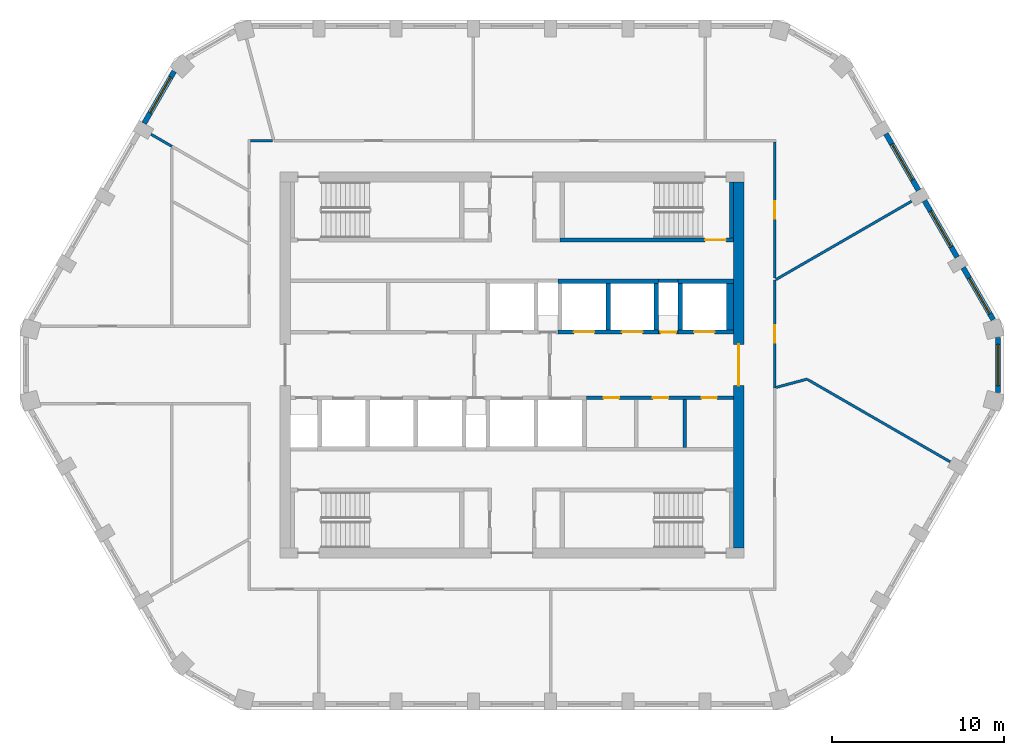
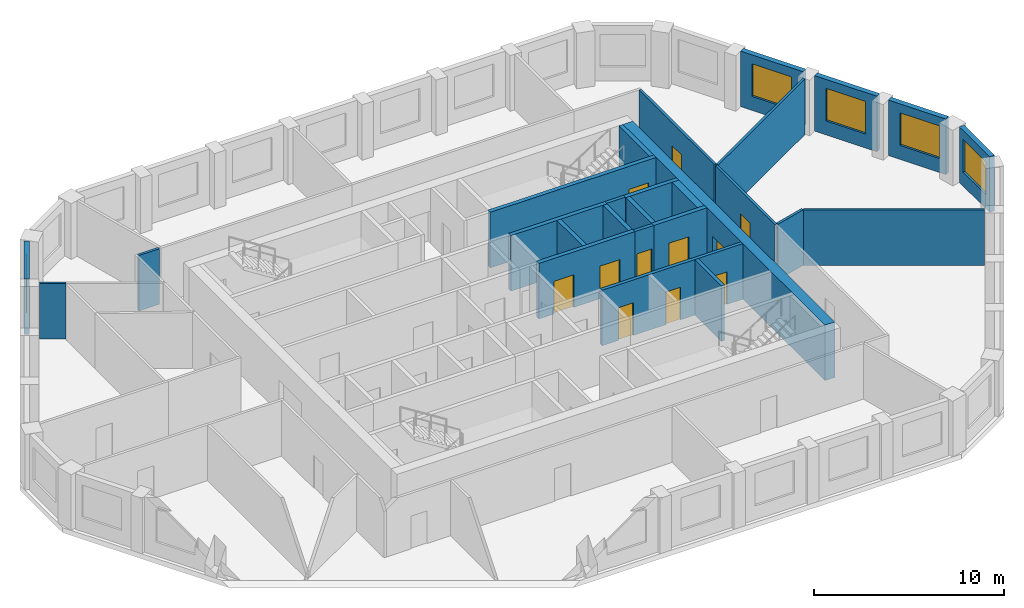
# One storey, part 5 of 7: 27 walls, 11 doors, 5 windows, 16 openings.
"""IFC4 building model written with IfcOpenShell, lengths in metres."""

import ifcopenshell
import ifcopenshell.guid

model = None  # the IFC model being written
_history = None  # IfcOwnerHistory: only IFC2X3 demands one
_inside = {}  # id of a spatial element -> (the spatial element, [elements in it])
_under = {}  # id of a project, library or spatial element -> (it, [spatial elements below it])
_declared = {}  # id of a project -> (the project, [libraries it declares])
_typed = {}  # id of a type object -> (the type object, [elements of that type])
_made_of = {}  # id of a material, layer set ... -> (it, [elements and type objects made of it])


def new_model(schema):
    """Start an empty IFC model of exactly this schema.

    Asked for "IFC4X3", IfcOpenShell would pick the latest addendum, in which some entities
    have other attributes; the version numbers below select the first issue.
    IFC2X3 requires an IfcOwnerHistory on every rooted entity: one is made here for all.
    """
    global model, _history
    if schema == "IFC4X3":
        model = ifcopenshell.file(schema_version=(4, 3, 0, 0))
    else:
        model = ifcopenshell.file(schema=schema)
    _inside.clear()
    _under.clear()
    _declared.clear()
    _typed.clear()
    _made_of.clear()
    _history = None
    if model.schema == "IFC2X3":
        org = make("IfcOrganization", Name="unknown")
        user = make(
            "IfcPersonAndOrganization",
            ThePerson=make("IfcPerson", FamilyName="unknown"),
            TheOrganization=org,
        )
        app = make(
            "IfcApplication",
            ApplicationDeveloper=org,
            Version="unknown",
            ApplicationFullName="unknown",
            ApplicationIdentifier="unknown",
        )
        _history = make(
            "IfcOwnerHistory",
            OwningUser=user,
            OwningApplication=app,
            ChangeAction="ADDED",
            CreationDate=0,
        )
    return model


def make(cls, **values):
    """One entity of the class cls with the attributes given. An attribute that is None is left unset."""
    return model.create_entity(
        cls, **{name: value for name, value in values.items() if value is not None}
    )


def rooted(cls, **values):
    """An entity with a GlobalId (a new one), such as an element, a storey or a relation."""
    return make(cls, GlobalId=ifcopenshell.guid.new(), OwnerHistory=_history, **values)


def si_unit(unit_type, name, prefix=None):
    """IfcSIUnit, for example si_unit("LENGTHUNIT", "METRE", prefix="MILLI")."""
    return make("IfcSIUnit", UnitType=unit_type, Prefix=prefix, Name=name)


def assignment(units):
    """IfcUnitAssignment: the units of a project."""
    return None if units is None else make("IfcUnitAssignment", Units=units)


def point(xyz):
    """IfcCartesianPoint."""
    return None if xyz is None else make("IfcCartesianPoint", Coordinates=xyz)


def direction(xyz):
    """IfcDirection."""
    return None if xyz is None else make("IfcDirection", DirectionRatios=xyz)


def frame(location, z_axis=None, x_axis=None):
    """IfcAxis2Placement3D, a coordinate frame: its origin and axes. An axis left out is left unset."""
    return make(
        "IfcAxis2Placement3D",
        Location=point(location),
        Axis=direction(z_axis),
        RefDirection=direction(x_axis),
    )


def frame_2d(location, x_axis=None):
    """IfcAxis2Placement2D, a coordinate frame in the plane: its origin and x axis."""
    return make(
        "IfcAxis2Placement2D", Location=point(location), RefDirection=direction(x_axis)
    )


def origin():
    """The frame at (0, 0, 0) with its axes left unset."""
    return frame((0.0, 0.0, 0.0))


def place(relative_to, where):
    """IfcLocalPlacement: puts the frame where relative to a parent placement (None: the world)."""
    return make(
        "IfcLocalPlacement", PlacementRelTo=relative_to, RelativePlacement=where
    )


def context(
    kind, dimensions, precision=None, world=None, true_north=None, identifier=None
):
    """IfcGeometricRepresentationContext, for example the 3D "Model" context."""
    return make(
        "IfcGeometricRepresentationContext",
        ContextIdentifier=identifier,
        ContextType=kind,
        CoordinateSpaceDimension=dimensions,
        Precision=precision,
        WorldCoordinateSystem=world,
        TrueNorth=true_north,
    )


def subcontext(parent, identifier, kind, view, scale=None):
    """IfcGeometricRepresentationSubContext, for example "Body" below "Model"."""
    return make(
        "IfcGeometricRepresentationSubContext",
        ContextIdentifier=identifier,
        ContextType=kind,
        ParentContext=parent,
        TargetScale=scale,
        TargetView=view,
    )


def project(units=None, contexts=None):
    """IfcProject with its units and contexts."""
    return rooted(
        "IfcProject",
        Name="project",
        RepresentationContexts=contexts,
        UnitsInContext=assignment(units),
    )


def spatial(cls, under=None, at=None, **own):
    """A site, building, storey or space (cls), placed at a placement, below another one or the project."""
    s = rooted(cls, ObjectPlacement=at, **own)
    if under is not None:
        _under.setdefault(under.id(), (under, []))[1].append(s)
    return s


def polyline(points):
    """IfcPolyline through the points."""
    return make("IfcPolyline", Points=[point(p) for p in points])


def profile(cls, at=None, kind="AREA", **sizes):
    """A parametric profile (cls). Its sizes go by their IFC names, for example OverallWidth=200.0."""
    return make(cls, ProfileType=kind, Position=at, **sizes)


def rectangle(**sizes):
    """IfcRectangleProfileDef."""
    return profile("IfcRectangleProfileDef", **sizes)


def outline(outer, holes=None, kind="AREA"):
    """IfcArbitraryClosedProfileDef: a profile drawn as a closed curve; with holes, ...WithVoids."""
    if holes is None:
        return make("IfcArbitraryClosedProfileDef", ProfileType=kind, OuterCurve=outer)
    return make(
        "IfcArbitraryProfileDefWithVoids",
        ProfileType=kind,
        OuterCurve=outer,
        InnerCurves=holes,
    )


def extrude(swept, where, along, depth):
    """IfcExtrudedAreaSolid: the profile swept, set in the frame where, extruded along a direction by depth."""
    return make(
        "IfcExtrudedAreaSolid",
        SweptArea=swept,
        Position=where,
        ExtrudedDirection=direction(along),
        Depth=depth,
    )


def shape(context_of_items, identifier, shape_type, items):
    """IfcShapeRepresentation: the items that make up one representation, for example the "Body"."""
    return make(
        "IfcShapeRepresentation",
        ContextOfItems=context_of_items,
        RepresentationIdentifier=identifier,
        RepresentationType=shape_type,
        Items=items,
    )


def material(Name=None, Category=None):
    """IfcMaterial."""
    return make("IfcMaterial", Name=Name, Category=Category)


def layer(
    of_material, thickness, ventilated=None, Name=None, Category=None, Priority=None
):
    """IfcMaterialLayer: one layer of a wall or slab, of a material (None: an air gap)."""
    return make(
        "IfcMaterialLayer",
        Material=of_material,
        LayerThickness=thickness,
        IsVentilated=ventilated,
        Name=Name,
        Category=Category,
        Priority=Priority,
    )


def layer_set(layers, Name=None):
    """IfcMaterialLayerSet."""
    return make("IfcMaterialLayerSet", MaterialLayers=layers, LayerSetName=Name)


def made_of(thing, what):
    """Note that an element or type object is made of a material, layer set ...; save() writes the relation."""
    if what is not None:
        _made_of.setdefault(what.id(), (what, []))[1].append(thing)
    return thing


def type_object(cls, material=None, **own):
    """A type object (cls), such as IfcWallType, which elements share."""
    return made_of(rooted(cls, **own), material)


def element(
    cls,
    number,
    at=None,
    inside=None,
    cuts=None,
    type_object=None,
    material=None,
    context=None,
    identifier="Body",
    shape_type=None,
    held_by="IfcProductDefinitionShape",
    body=None,
    shapes=None,
    **own,
):
    """One element of the class cls, such as IfcWall. Its Tag is "e" and its number.

    at: its placement. inside: the storey or other place that contains it. cuts: it is an
    opening in that element (IfcRelVoidsElement). A single representation is given by context,
    identifier, shape_type and body (its items); several are given by shapes. held_by: the class
    of the entity that holds the representations. save() writes the other relations.
    """
    e = rooted(cls, Tag="e%d" % number, ObjectPlacement=at, **own)
    if body is not None:
        shapes = [shape(context, identifier, shape_type, body)]
    if shapes is not None:
        e.Representation = make(held_by, Representations=shapes)
    if inside is not None:
        _inside.setdefault(inside.id(), (inside, []))[1].append(e)
    if cuts is not None:
        rooted(
            "IfcRelVoidsElement", RelatingBuildingElement=cuts, RelatedOpeningElement=e
        )
    if type_object is not None:
        _typed.setdefault(type_object.id(), (type_object, []))[1].append(e)
    return made_of(e, material)


def fill(opening, filler):
    """IfcRelFillsElement: the door or window that sits in an opening."""
    return rooted(
        "IfcRelFillsElement",
        RelatingOpeningElement=opening,
        RelatedBuildingElement=filler,
    )


def aggregate(whole, parts):
    """IfcRelAggregates: a whole, such as a stair, and the parts it consists of."""
    return rooted("IfcRelAggregates", RelatingObject=whole, RelatedObjects=parts)


def save(model, path):
    """Write the relations noted so far, then the file.

    IfcRelAggregates (storeys below a building ...), IfcRelContainedInSpatialStructure (elements
    in a storey), IfcRelDefinesByType, IfcRelAssociatesMaterial and IfcRelDeclares: one each for
    every whole, place, type object, material and project.
    """
    for whole, parts in _under.values():
        aggregate(whole, parts)
    for where, things in _inside.values():
        rooted(
            "IfcRelContainedInSpatialStructure",
            RelatedElements=things,
            RelatingStructure=where,
        )
    for kind, things in _typed.values():
        rooted("IfcRelDefinesByType", RelatedObjects=things, RelatingType=kind)
    for what, things in _made_of.values():
        rooted("IfcRelAssociatesMaterial", RelatedObjects=things, RelatingMaterial=what)
    for by, libraries in _declared.values():
        rooted("IfcRelDeclares", RelatingContext=by, RelatedDefinitions=libraries)
    model.write(path)


model = new_model("IFC4")

# Units and contexts
model_context = context("Model", 3, precision=1e-05, world=origin(), true_north=direction((0.0, 1.0)))
body_context = subcontext(model_context, "Body", "Model", "MODEL_VIEW")
ifc_project = project(units=[si_unit("LENGTHUNIT", "METRE"), si_unit("AREAUNIT", "SQUARE_METRE"), si_unit("VOLUMEUNIT", "CUBIC_METRE"), si_unit("PLANEANGLEUNIT", "RADIAN"), si_unit("MASSUNIT", "GRAM", prefix="KILO")], contexts=[model_context])

# Site, building, storey
site_placement = place(None, origin())
site = spatial("IfcSite", under=ifc_project, at=site_placement, CompositionType="ELEMENT")
building_placement = place(site_placement, origin())
building = spatial("IfcBuilding", under=site, at=building_placement, Name="Dhurran Vertical Campus", CompositionType="ELEMENT")
storey_placement = place(building_placement, frame((0.0, 0.0, 266.39990234375)))
storey = spatial("IfcBuildingStorey", under=building, at=storey_placement, Name="L66", CompositionType="ELEMENT", Elevation=266.39990234375)

# Wall, opening, window
ifc_material_1 = material(Name="Precast concrete C50/60", Category="concrete")
ifc_layer_1 = layer(ifc_material_1, 0.300048828125)
ifc_layer_set_1 = layer_set([ifc_layer_1], Name="Precast concrete C50/60")
wall_type_1 = type_object("IfcWallType", Name="Precast spandrel wall 300", PredefinedType="SOLIDWALL", material=ifc_layer_set_1)
wall_1_placement = place(storey_placement, frame((28.297119140625, -1.59814453125, 0.0), z_axis=(0.0, 0.0, 1.0), x_axis=(0.0, 1.0, 0.0)))
wall_1 = element("IfcWall", 1, at=wall_1_placement, inside=storey, type_object=wall_type_1, Name="EW1 L66.12", PredefinedType="SOLIDWALL", context=body_context, shape_type="SweptSolid", body=[
    extrude(rectangle(XDim=3.1962890625, YDim=0.300048828125, at=frame_2d((1.59814453125, 0.0))), origin(), (0.0, 0.0, 1.0), 3.5751953125),
])
opening_1_placement = place(wall_1_placement, frame((0.398193359375, 0.0, 0.89990234375)))
opening_1 = element("IfcOpeningElement", 2, at=opening_1_placement, cuts=wall_1, Name="Opening WT1", PredefinedType="OPENING", context=body_context, shape_type="SweptSolid", body=[
    extrude(rectangle(XDim=2.39990234375, YDim=2.10009765625, at=frame_2d((1.199951171875, 1.050048828125))), frame((0.0, 0.159912109375, 0.0), z_axis=(0.0, -1.0, 0.0), x_axis=(1.0, 0.0, 0.0)), (0.0, 0.0, 1.0), 0.320068359375),
])
ifc_material_2 = material(Name="Aluminium frame with solar-control glass", Category="aluminium")
window_type = type_object("IfcWindowType", Name="Punched window 2400 x 2100", PartitioningType="SINGLE_PANEL", PredefinedType="WINDOW", material=ifc_material_2)
window_1_placement = place(opening_1_placement, origin())
window_1 = element("IfcWindow", 3, at=window_1_placement, inside=storey, type_object=window_type, Name="WT1 L66.12", OverallHeight=2.10009765625, OverallWidth=2.39990234375, PartitioningType="SINGLE_PANEL", PredefinedType="WINDOW", context=body_context, shape_type="SweptSolid", body=[
    extrude(rectangle(XDim=2.39990234375, YDim=2.10009765625, at=frame_2d((1.199951171875, 1.050048828125))), frame((0.0, 0.030029296875, 0.0), z_axis=(0.0, -1.0, 0.0), x_axis=(1.0, 0.0, 0.0)), (0.0, 0.0, 1.0), 0.06005859375),
])
fill(opening_1, window_1)

wall_2_placement = place(storey_placement, frame((28.01806640625, 2.6396484375, 0.0), z_axis=(0.0, 0.0, 1.0), x_axis=(-0.499990325971, 0.866030989016, 0.0)))
wall_2 = element("IfcWall", 4, at=wall_2_placement, inside=storey, type_object=wall_type_1, Name="EW1 L66.13", PredefinedType="SOLIDWALL", context=body_context, shape_type="SweptSolid", body=[
    extrude(rectangle(XDim=3.49755859375, YDim=0.300048828125, at=frame_2d((1.748779296875, 0.0))), origin(), (0.0, 0.0, 1.0), 3.5751953125),
])
opening_2_placement = place(wall_2_placement, frame((0.398193359375, 0.0, 0.89990234375)))
opening_2 = element("IfcOpeningElement", 5, at=opening_2_placement, cuts=wall_2, Name="Opening WT1", PredefinedType="OPENING", context=body_context, shape_type="SweptSolid", body=[
    extrude(rectangle(XDim=2.39990234375, YDim=2.10009765625, at=frame_2d((1.199951171875, 1.050048828125))), frame((0.0, 0.159912109375, 0.0), z_axis=(0.0, -1.0, 0.0), x_axis=(1.0, 0.0, 0.0)), (0.0, 0.0, 1.0), 0.320068359375),
])
window_2_placement = place(opening_2_placement, origin())
window_2 = element("IfcWindow", 6, at=window_2_placement, inside=storey, type_object=window_type, Name="WT1 L66.13", OverallHeight=2.10009765625, OverallWidth=2.39990234375, PartitioningType="SINGLE_PANEL", PredefinedType="WINDOW", context=body_context, shape_type="SweptSolid", body=[
    extrude(rectangle(XDim=2.39990234375, YDim=2.10009765625, at=frame_2d((1.199951171875, 1.050048828125))), frame((0.0, 0.030029296875, 0.0), z_axis=(0.0, -1.0, 0.0), x_axis=(1.0, 0.0, 0.0)), (0.0, 0.0, 1.0), 0.06005859375),
])
fill(opening_2, window_2)

wall_3_placement = place(storey_placement, frame((25.918701171875, 6.275634765625, 0.0), z_axis=(0.0, 0.0, 1.0), x_axis=(-0.499982058975, 0.866035761792, 0.0)))
wall_3 = element("IfcWall", 7, at=wall_3_placement, inside=storey, type_object=wall_type_1, Name="EW1 L66.14", PredefinedType="SOLIDWALL", context=body_context, shape_type="SweptSolid", body=[
    extrude(rectangle(XDim=3.799072265625, YDim=0.300048828125, at=frame_2d((1.8994140625, 0.0))), origin(), (0.0, 0.0, 1.0), 3.5751953125),
])
opening_3_placement = place(wall_3_placement, frame((0.699462890625, 0.0, 0.89990234375)))
opening_3 = element("IfcOpeningElement", 8, at=opening_3_placement, cuts=wall_3, Name="Opening WT1", PredefinedType="OPENING", context=body_context, shape_type="SweptSolid", body=[
    extrude(rectangle(XDim=2.39990234375, YDim=2.10009765625, at=frame_2d((1.199951171875, 1.050048828125))), frame((0.0, 0.159912109375, 0.0), z_axis=(0.0, -1.0, 0.0), x_axis=(1.0, 0.0, 0.0)), (0.0, 0.0, 1.0), 0.320068359375),
])
window_3_placement = place(opening_3_placement, origin())
window_3 = element("IfcWindow", 9, at=window_3_placement, inside=storey, type_object=window_type, Name="WT1 L66.14", OverallHeight=2.10009765625, OverallWidth=2.39990234375, PartitioningType="SINGLE_PANEL", PredefinedType="WINDOW", context=body_context, shape_type="SweptSolid", body=[
    extrude(rectangle(XDim=2.39990234375, YDim=2.10009765625, at=frame_2d((1.199951171875, 1.050048828125))), frame((0.0, 0.030029296875, 0.0), z_axis=(0.0, -1.0, 0.0), x_axis=(1.0, 0.0, 0.0)), (0.0, 0.0, 1.0), 0.06005859375),
])
fill(opening_3, window_3)

wall_4_placement = place(storey_placement, frame((23.668701171875, 10.1728515625, 0.0), z_axis=(0.0, 0.0, 1.0), x_axis=(-0.499982058975, 0.866035761792, 0.0)))
wall_4 = element("IfcWall", 10, at=wall_4_placement, inside=storey, type_object=wall_type_1, Name="EW1 L66.15", PredefinedType="SOLIDWALL", context=body_context, shape_type="SweptSolid", body=[
    extrude(rectangle(XDim=3.799072265625, YDim=0.300048828125, at=frame_2d((1.8994140625, 0.0))), origin(), (0.0, 0.0, 1.0), 3.5751953125),
])
opening_4_placement = place(wall_4_placement, frame((0.699462890625, 0.0, 0.89990234375)))
opening_4 = element("IfcOpeningElement", 11, at=opening_4_placement, cuts=wall_4, Name="Opening WT1", PredefinedType="OPENING", context=body_context, shape_type="SweptSolid", body=[
    extrude(rectangle(XDim=2.39990234375, YDim=2.10009765625, at=frame_2d((1.199951171875, 1.050048828125))), frame((0.0, 0.159912109375, 0.0), z_axis=(0.0, -1.0, 0.0), x_axis=(1.0, 0.0, 0.0)), (0.0, 0.0, 1.0), 0.320068359375),
])
window_4_placement = place(opening_4_placement, origin())
window_4 = element("IfcWindow", 12, at=window_4_placement, inside=storey, type_object=window_type, Name="WT1 L66.15", OverallHeight=2.10009765625, OverallWidth=2.39990234375, PartitioningType="SINGLE_PANEL", PredefinedType="WINDOW", context=body_context, shape_type="SweptSolid", body=[
    extrude(rectangle(XDim=2.39990234375, YDim=2.10009765625, at=frame_2d((1.199951171875, 1.050048828125))), frame((0.0, 0.030029296875, 0.0), z_axis=(0.0, -1.0, 0.0), x_axis=(1.0, 0.0, 0.0)), (0.0, 0.0, 1.0), 0.06005859375),
])
fill(opening_4, window_4)

wall_5_placement = place(storey_placement, frame((-19.669921875, 17.09912109375, 0.0), z_axis=(0.0, 0.0, 1.0), x_axis=(-0.499960102815, -0.866048437209, 0.0)))
wall_5 = element("IfcWall", 13, at=wall_5_placement, inside=storey, type_object=wall_type_1, Name="EW1 L66.26", PredefinedType="SOLIDWALL", context=body_context, shape_type="SweptSolid", body=[
    extrude(rectangle(XDim=3.497802734375, YDim=0.300048828125, at=frame_2d((1.7490234375, 0.0))), origin(), (0.0, 0.0, 1.0), 3.5751953125),
])
opening_5_placement = place(wall_5_placement, frame((0.398193359375, 0.0, 0.89990234375)))
opening_5 = element("IfcOpeningElement", 14, at=opening_5_placement, cuts=wall_5, Name="Opening WT1", PredefinedType="OPENING", context=body_context, shape_type="SweptSolid", body=[
    extrude(rectangle(XDim=2.39990234375, YDim=2.10009765625, at=frame_2d((1.199951171875, 1.050048828125))), frame((0.0, 0.159912109375, 0.0), z_axis=(0.0, -1.0, 0.0), x_axis=(1.0, 0.0, 0.0)), (0.0, 0.0, 1.0), 0.320068359375),
])
window_5_placement = place(opening_5_placement, origin())
window_5 = element("IfcWindow", 15, at=window_5_placement, inside=storey, type_object=window_type, Name="WT1 L66.26", OverallHeight=2.10009765625, OverallWidth=2.39990234375, PartitioningType="SINGLE_PANEL", PredefinedType="WINDOW", context=body_context, shape_type="SweptSolid", body=[
    extrude(rectangle(XDim=2.39990234375, YDim=2.10009765625, at=frame_2d((1.199951171875, 1.050048828125))), frame((0.0, 0.030029296875, 0.0), z_axis=(0.0, -1.0, 0.0), x_axis=(1.0, 0.0, 0.0)), (0.0, 0.0, 1.0), 0.06005859375),
])
fill(opening_5, window_5)

# Wall, opening, door
ifc_material_3 = material(Name="Concrete C50/60", Category="concrete")
ifc_layer_2 = layer(ifc_material_3, 0.60009765625)
ifc_layer_set_2 = layer_set([ifc_layer_2], Name="Concrete C50/60")
wall_type_2 = type_object("IfcWallType", Name="co-CORE-WALL-C2-600", PredefinedType="SHEAR", material=ifc_layer_set_2)
wall_6_placement = place(storey_placement, frame((13.199951171875, -10.64990234375, 0.0), z_axis=(0.0, 0.0, 1.0), x_axis=(0.0, 1.0, 0.0)))
wall_6 = element("IfcWall", 16, at=wall_6_placement, inside=storey, type_object=wall_type_2, Name="Core wall E L66", PredefinedType="SHEAR", context=body_context, shape_type="SweptSolid", body=[
    extrude(rectangle(XDim=21.2998046875, YDim=0.60009765625, at=frame_2d((10.64990234375, 0.0))), origin(), (0.0, 0.0, 1.0), 3.5751953125),
])
opening_6_placement = place(wall_6_placement, frame((9.449951171875, 0.0, 0.0)))
opening_6 = element("IfcOpeningElement", 17, at=opening_6_placement, cuts=wall_6, Name="Opening CL2", PredefinedType="OPENING", context=body_context, shape_type="SweptSolid", body=[
    extrude(rectangle(XDim=2.39990234375, YDim=2.10009765625, at=frame_2d((1.199951171875, 1.050048828125))), frame((0.0, 0.31005859375, 0.0), z_axis=(0.0, -1.0, 0.0), x_axis=(1.0, 0.0, 0.0)), (0.0, 0.0, 1.0), 0.6201171875),
])
ifc_material_4 = material(Name="Fire-rated glazed door set")
door_type_1 = type_object("IfcDoorType", Name="co-D-LOBBY 2400x2100", OperationType="DOUBLE_DOOR_DOUBLE_SWING", PredefinedType="DOOR", material=ifc_material_4)
door_1_placement = place(opening_6_placement, origin())
door_1 = element("IfcDoor", 18, at=door_1_placement, inside=storey, type_object=door_type_1, Name="Lift lobby door E L66", OperationType="DOUBLE_DOOR_DOUBLE_SWING", OverallHeight=2.10009765625, OverallWidth=2.39990234375, PredefinedType="DOOR", context=body_context, shape_type="SweptSolid", body=[
    extrude(rectangle(XDim=2.39990234375, YDim=2.10009765625, at=frame_2d((1.199951171875, 1.050048828125))), frame((0.0, 0.02490234375, 0.0), z_axis=(0.0, -1.0, 0.0), x_axis=(1.0, 0.0, 0.0)), (0.0, 0.0, 1.0), 0.050048828125),
])
fill(opening_6, door_1)

ifc_material_5 = material(Name="Fire-rated masonry blockwork", Category="masonry")
ifc_layer_3 = layer(ifc_material_5, 0.199951171875)
ifc_layer_set_3 = layer_set([ifc_layer_3], Name="Fire-rated masonry blockwork")
wall_type_3 = type_object("IfcWallType", Name="co-FIRE-PARTITION-200", PredefinedType="PARTITIONING", material=ifc_layer_set_3)
wall_7_placement = place(storey_placement, frame((8.52490234375, 1.89990234375, 0.0), z_axis=(0.0, 0.0, 1.0), x_axis=(1.0, 0.0, 0.0)))
wall_7 = element("IfcWall", 19, at=wall_7_placement, inside=storey, type_object=wall_type_3, Name="Core partition fr-N2-f L66", PredefinedType="PARTITIONING", context=body_context, shape_type="SweptSolid", body=[
    extrude(rectangle(XDim=1.150146484375, YDim=0.199951171875, at=frame_2d((0.5751953125, 0.0))), origin(), (0.0, 0.0, 1.0), 3.5751953125),
])
opening_7_placement = place(wall_7_placement, frame((0.125, 0.0, 0.0)))
opening_7 = element("IfcOpeningElement", 20, at=opening_7_placement, cuts=wall_7, Name="Opening T19-C9", PredefinedType="OPENING", context=body_context, shape_type="SweptSolid", body=[
    extrude(rectangle(XDim=0.89990234375, YDim=2.10009765625, at=frame_2d((0.449951171875, 1.050048828125))), frame((0.0, 0.10986328125, 0.0), z_axis=(0.0, -1.0, 0.0), x_axis=(1.0, 0.0, 0.0)), (0.0, 0.0, 1.0), 0.219970703125),
])
ifc_material_6 = material(Name="Fire-rated timber door set", Category="wood")
door_type_2 = type_object("IfcDoorType", Name="co-D-ROOM 900x2100", OperationType="SINGLE_SWING_LEFT", PredefinedType="DOOR", material=ifc_material_6)
door_2_placement = place(opening_7_placement, origin())
door_2 = element("IfcDoor", 21, at=door_2_placement, inside=storey, type_object=door_type_2, Name="Communications riser door L66", OperationType="SINGLE_SWING_LEFT", OverallHeight=2.10009765625, OverallWidth=0.89990234375, PredefinedType="DOOR", context=body_context, shape_type="SweptSolid", body=[
    extrude(rectangle(XDim=0.89990234375, YDim=2.10009765625, at=frame_2d((0.449951171875, 1.050048828125))), frame((0.0, 0.02490234375, 0.0), z_axis=(0.0, -1.0, 0.0), x_axis=(1.0, 0.0, 0.0)), (0.0, 0.0, 1.0), 0.050048828125),
])
fill(opening_7, door_2)

# Walls
wall_8_placement = place(storey_placement, frame((8.52490234375, 4.89990234375, 0.0), z_axis=(0.0, 0.0, 1.0), x_axis=(1.0, 0.0, 0.0)))
element("IfcWall", 22, at=wall_8_placement, inside=storey, type_object=wall_type_3, Name="Core partition fr-N2-b L66", PredefinedType="PARTITIONING", context=body_context, shape_type="SweptSolid", body=[
    extrude(rectangle(XDim=1.150146484375, YDim=0.199951171875, at=frame_2d((0.5751953125, 0.0))), origin(), (0.0, 0.0, 1.0), 3.5751953125),
])
wall_9_placement = place(storey_placement, frame((10.0703125, -4.800048828125, 0.0), z_axis=(0.0, 0.0, 1.0), x_axis=(0.0, 1.0, 0.0)))
element("IfcWall", 23, at=wall_9_placement, inside=storey, type_object=wall_type_3, Name="Core partition fr-S2-cut1 L66", PredefinedType="PARTITIONING", context=body_context, shape_type="SweptSolid", body=[
    extrude(rectangle(XDim=2.800048828125, YDim=0.199951171875, at=frame_2d((1.39990234375, 0.0))), origin(), (0.0, 0.0, 1.0), 3.5751953125),
])

# Wall, openings, doors
wall_10_placement = place(storey_placement, frame((4.324951171875, -1.89990234375, 0.0), z_axis=(0.0, 0.0, 1.0), x_axis=(1.0, 0.0, 0.0)))
wall_10 = element("IfcWall", 24, at=wall_10_placement, inside=storey, type_object=wall_type_3, Name="Core partition fr-S2-f L66", PredefinedType="PARTITIONING", context=body_context, shape_type="SweptSolid", body=[
    extrude(rectangle(XDim=8.574951171875, YDim=0.199951171875, at=frame_2d((4.28759765625, 0.0))), origin(), (0.0, 0.0, 1.0), 3.5751953125),
])
opening_8_placement = place(wall_10_placement, frame((1.0078125, 0.0, 0.0)))
opening_8 = element("IfcOpeningElement", 25, at=opening_8_placement, cuts=wall_10, Name="Opening T19-C12", PredefinedType="OPENING", context=body_context, shape_type="SweptSolid", body=[
    extrude(rectangle(XDim=0.89990234375, YDim=2.10009765625, at=frame_2d((0.449951171875, 1.050048828125))), frame((0.0, 0.10986328125, 0.0), z_axis=(0.0, -1.0, 0.0), x_axis=(1.0, 0.0, 0.0)), (0.0, 0.0, 1.0), 0.219970703125),
])
opening_9_placement = place(wall_10_placement, frame((3.88037109375, 0.0, 0.0)))
opening_9 = element("IfcOpeningElement", 26, at=opening_9_placement, cuts=wall_10, Name="Opening T19-C13", PredefinedType="OPENING", context=body_context, shape_type="SweptSolid", body=[
    extrude(rectangle(XDim=0.89990234375, YDim=2.10009765625, at=frame_2d((0.449951171875, 1.050048828125))), frame((0.0, 0.10986328125, 0.0), z_axis=(0.0, -1.0, 0.0), x_axis=(1.0, 0.0, 0.0)), (0.0, 0.0, 1.0), 0.219970703125),
])
opening_10_placement = place(wall_10_placement, frame((6.710205078125, 0.0, 0.0)))
opening_10 = element("IfcOpeningElement", 27, at=opening_10_placement, cuts=wall_10, Name="Opening T19-C14", PredefinedType="OPENING", context=body_context, shape_type="SweptSolid", body=[
    extrude(rectangle(XDim=0.89990234375, YDim=2.10009765625, at=frame_2d((0.449951171875, 1.050048828125))), frame((0.0, 0.10986328125, 0.0), z_axis=(0.0, -1.0, 0.0), x_axis=(1.0, 0.0, 0.0)), (0.0, 0.0, 1.0), 0.219970703125),
])
door_3_placement = place(opening_8_placement, origin())
door_3 = element("IfcDoor", 28, at=door_3_placement, inside=storey, type_object=door_type_2, Name="Print room door L66", OperationType="SINGLE_SWING_LEFT", OverallHeight=2.10009765625, OverallWidth=0.89990234375, PredefinedType="DOOR", context=body_context, shape_type="SweptSolid", body=[
    extrude(rectangle(XDim=0.89990234375, YDim=2.10009765625, at=frame_2d((0.449951171875, 1.050048828125))), frame((0.0, 0.02490234375, 0.0), z_axis=(0.0, -1.0, 0.0), x_axis=(1.0, 0.0, 0.0)), (0.0, 0.0, 1.0), 0.050048828125),
])
fill(opening_8, door_3)
door_4_placement = place(opening_9_placement, origin())
door_4 = element("IfcDoor", 29, at=door_4_placement, inside=storey, type_object=door_type_2, Name="Plant room door L66", OperationType="SINGLE_SWING_LEFT", OverallHeight=2.10009765625, OverallWidth=0.89990234375, PredefinedType="DOOR", context=body_context, shape_type="SweptSolid", body=[
    extrude(rectangle(XDim=0.89990234375, YDim=2.10009765625, at=frame_2d((0.449951171875, 1.050048828125))), frame((0.0, 0.02490234375, 0.0), z_axis=(0.0, -1.0, 0.0), x_axis=(1.0, 0.0, 0.0)), (0.0, 0.0, 1.0), 0.050048828125),
])
fill(opening_9, door_4)
door_5_placement = place(opening_10_placement, origin())
door_5 = element("IfcDoor", 30, at=door_5_placement, inside=storey, type_object=door_type_2, Name="Cleaner's store door L66", OperationType="SINGLE_SWING_LEFT", OverallHeight=2.10009765625, OverallWidth=0.89990234375, PredefinedType="DOOR", context=body_context, shape_type="SweptSolid", body=[
    extrude(rectangle(XDim=0.89990234375, YDim=2.10009765625, at=frame_2d((0.449951171875, 1.050048828125))), frame((0.0, 0.02490234375, 0.0), z_axis=(0.0, -1.0, 0.0), x_axis=(1.0, 0.0, 0.0)), (0.0, 0.0, 1.0), 0.050048828125),
])
fill(opening_10, door_5)

ifc_material_7 = material(Name="Concrete C50/60", Category="concrete")
ifc_layer_4 = layer(ifc_material_7, 0.25)
ifc_layer_set_4 = layer_set([ifc_layer_4], Name="Concrete C50/60")
wall_type_4 = type_object("IfcWallType", Name="co-SHAFT-FRONT-250", PredefinedType="SHEAR", material=ifc_layer_set_4)
wall_11_placement = place(storey_placement, frame((2.675048828125, 1.925048828125, 0.0), z_axis=(0.0, 0.0, 1.0), x_axis=(1.0, 0.0, 0.0)))
wall_11 = element("IfcWall", 31, at=wall_11_placement, inside=storey, type_object=wall_type_4, Name="Lift landing wall N L66", PredefinedType="SHEAR", context=body_context, shape_type="SweptSolid", body=[
    extrude(rectangle(XDim=5.849853515625, YDim=0.25, at=frame_2d((2.9248046875, 0.0))), origin(), (0.0, 0.0, 1.0), 3.5751953125),
])
opening_11_placement = place(wall_11_placement, frame((0.925048828125, 0.0, 0.0)))
opening_11 = element("IfcOpeningElement", 32, at=opening_11_placement, cuts=wall_11, Name="Opening LD", PredefinedType="OPENING", context=body_context, shape_type="SweptSolid", body=[
    extrude(rectangle(XDim=1.199951171875, YDim=2.10009765625, at=frame_2d((0.60009765625, 1.050048828125))), frame((0.0, 0.135009765625, 0.0), z_axis=(0.0, -1.0, 0.0), x_axis=(1.0, 0.0, 0.0)), (0.0, 0.0, 1.0), 0.27001953125),
])
opening_12_placement = place(wall_11_placement, frame((3.72509765625, 0.0, 0.0)))
opening_12 = element("IfcOpeningElement", 33, at=opening_12_placement, cuts=wall_11, Name="Opening LD", PredefinedType="OPENING", context=body_context, shape_type="SweptSolid", body=[
    extrude(rectangle(XDim=1.199951171875, YDim=2.10009765625, at=frame_2d((0.60009765625, 1.050048828125))), frame((0.0, 0.135009765625, 0.0), z_axis=(0.0, -1.0, 0.0), x_axis=(1.0, 0.0, 0.0)), (0.0, 0.0, 1.0), 0.27001953125),
])
ifc_material_8 = material(Name="Stainless steel landing door", Category="steel")
door_type_3 = type_object("IfcDoorType", Name="co-D-LANDING 1200x2100", OperationType="DOUBLE_DOOR_SLIDING", PredefinedType="DOOR", material=ifc_material_8)
door_6_placement = place(opening_11_placement, origin())
door_6 = element("IfcDoor", 34, at=door_6_placement, inside=storey, type_object=door_type_3, Name="Landing door HR1 L66", OperationType="DOUBLE_DOOR_SLIDING", OverallHeight=2.10009765625, OverallWidth=1.199951171875, PredefinedType="DOOR", context=body_context, shape_type="SweptSolid", body=[
    extrude(rectangle(XDim=1.199951171875, YDim=2.10009765625, at=frame_2d((0.60009765625, 1.050048828125))), frame((0.0, 0.02490234375, 0.0), z_axis=(0.0, -1.0, 0.0), x_axis=(1.0, 0.0, 0.0)), (0.0, 0.0, 1.0), 0.050048828125),
])
fill(opening_11, door_6)
door_7_placement = place(opening_12_placement, origin())
door_7 = element("IfcDoor", 35, at=door_7_placement, inside=storey, type_object=door_type_3, Name="Landing door HR2 L66", OperationType="DOUBLE_DOOR_SLIDING", OverallHeight=2.10009765625, OverallWidth=1.199951171875, PredefinedType="DOOR", context=body_context, shape_type="SweptSolid", body=[
    extrude(rectangle(XDim=1.199951171875, YDim=2.10009765625, at=frame_2d((0.60009765625, 1.050048828125))), frame((0.0, 0.02490234375, 0.0), z_axis=(0.0, -1.0, 0.0), x_axis=(1.0, 0.0, 0.0)), (0.0, 0.0, 1.0), 0.050048828125),
])
fill(opening_12, door_7)

# Wall, opening, door
wall_12_placement = place(storey_placement, frame((9.675048828125, 1.925048828125, 0.0), z_axis=(0.0, 0.0, 1.0), x_axis=(1.0, 0.0, 0.0)))
wall_12 = element("IfcWall", 36, at=wall_12_placement, inside=storey, type_object=wall_type_4, Name="Lift landing wall N L66", PredefinedType="SHEAR", context=body_context, shape_type="SweptSolid", body=[
    extrude(rectangle(XDim=3.224853515625, YDim=0.25, at=frame_2d((1.6123046875, 0.0))), origin(), (0.0, 0.0, 1.0), 3.5751953125),
])
opening_13_placement = place(wall_12_placement, frame((0.925048828125, 0.0, 0.0)))
opening_13 = element("IfcOpeningElement", 37, at=opening_13_placement, cuts=wall_12, Name="Opening LD", PredefinedType="OPENING", context=body_context, shape_type="SweptSolid", body=[
    extrude(rectangle(XDim=1.199951171875, YDim=2.10009765625, at=frame_2d((0.60009765625, 1.050048828125))), frame((0.0, 0.135009765625, 0.0), z_axis=(0.0, -1.0, 0.0), x_axis=(1.0, 0.0, 0.0)), (0.0, 0.0, 1.0), 0.27001953125),
])
door_8_placement = place(opening_13_placement, origin())
door_8 = element("IfcDoor", 38, at=door_8_placement, inside=storey, type_object=door_type_3, Name="Landing door SV2 L66", OperationType="DOUBLE_DOOR_SLIDING", OverallHeight=2.10009765625, OverallWidth=1.199951171875, PredefinedType="DOOR", context=body_context, shape_type="SweptSolid", body=[
    extrude(rectangle(XDim=1.199951171875, YDim=2.10009765625, at=frame_2d((0.60009765625, 1.050048828125))), frame((0.0, 0.02490234375, 0.0), z_axis=(0.0, -1.0, 0.0), x_axis=(1.0, 0.0, 0.0)), (0.0, 0.0, 1.0), 0.050048828125),
])
fill(opening_13, door_8)

# Walls
ifc_material_9 = material(Name="Concrete C50/60", Category="concrete")
ifc_layer_5 = layer(ifc_material_9, 0.25)
ifc_layer_set_5 = layer_set([ifc_layer_5], Name="Concrete C50/60")
wall_type_5 = type_object("IfcWallType", Name="co-SHAFT-MASS-250", PredefinedType="SHEAR", material=ifc_layer_set_5)
wall_13_placement = place(storey_placement, origin())
element("IfcWall", 39, at=wall_13_placement, inside=storey, type_object=wall_type_5, Name="Lift shaft wall N L66 2", PredefinedType="SHEAR", context=body_context, shape_type="SweptSolid", body=[
    extrude(outline(polyline([(2.675048828125, 4.75), (8.52490234375, 4.75), (8.52490234375, 5.0), (2.675048828125, 5.0), (2.675048828125, 4.75)])), origin(), (0.0, 0.0, 1.0), 3.5751953125),
])
wall_14_placement = place(storey_placement, origin())
element("IfcWall", 40, at=wall_14_placement, inside=storey, type_object=wall_type_5, Name="Lift shaft wall N L66 3", PredefinedType="SHEAR", context=body_context, shape_type="SweptSolid", body=[
    extrude(outline(polyline([(9.675048828125, 4.75), (12.89990234375, 4.75), (12.89990234375, 5.0), (9.675048828125, 5.0), (9.675048828125, 4.75)])), origin(), (0.0, 0.0, 1.0), 3.5751953125),
])
wall_15_placement = place(storey_placement, origin())
element("IfcWall", 41, at=wall_15_placement, inside=storey, type_object=wall_type_5, Name="Lift shaft wall N L66 7", PredefinedType="SHEAR", context=body_context, shape_type="SweptSolid", body=[
    extrude(outline(polyline([(5.47509765625, 2.050048828125), (5.72509765625, 2.050048828125), (5.72509765625, 4.75), (5.47509765625, 4.75), (5.47509765625, 2.050048828125)])), origin(), (0.0, 0.0, 1.0), 3.5751953125),
])
wall_16_placement = place(storey_placement, origin())
element("IfcWall", 42, at=wall_16_placement, inside=storey, type_object=wall_type_5, Name="Lift shaft wall N L66 8", PredefinedType="SHEAR", context=body_context, shape_type="SweptSolid", body=[
    extrude(outline(polyline([(8.27490234375, 2.050048828125), (8.52490234375, 2.050048828125), (8.52490234375, 4.75), (8.27490234375, 4.75), (8.27490234375, 2.050048828125)])), origin(), (0.0, 0.0, 1.0), 3.5751953125),
])
wall_17_placement = place(storey_placement, origin())
element("IfcWall", 43, at=wall_17_placement, inside=storey, type_object=wall_type_5, Name="Lift shaft wall N L66 9", PredefinedType="SHEAR", context=body_context, shape_type="SweptSolid", body=[
    extrude(outline(polyline([(9.675048828125, 2.050048828125), (9.925048828125, 2.050048828125), (9.925048828125, 4.75), (9.675048828125, 4.75), (9.675048828125, 2.050048828125)])), origin(), (0.0, 0.0, 1.0), 3.5751953125),
])
wall_18_placement = place(storey_placement, origin())
element("IfcWall", 44, at=wall_18_placement, inside=storey, type_object=wall_type_5, Name="Lift shaft wall N L66 10", PredefinedType="SHEAR", context=body_context, shape_type="SweptSolid", body=[
    extrude(outline(polyline([(12.47509765625, 2.050048828125), (12.89990234375, 2.050048828125), (12.89990234375, 4.75), (12.47509765625, 4.75), (12.47509765625, 2.050048828125)])), origin(), (0.0, 0.0, 1.0), 3.5751953125),
])

# Wall, opening, door
ifc_material_10 = material(Name="Concrete C40/50", Category="concrete")
ifc_layer_6 = layer(ifc_material_10, 0.25)
ifc_layer_set_6 = layer_set([ifc_layer_6], Name="Concrete C40/50")
wall_type_6 = type_object("IfcWallType", Name="co-STAIR-WALL-250", PredefinedType="SHEAR", material=ifc_layer_set_6)
wall_19_placement = place(storey_placement, frame((2.800048828125, 7.27490234375, 0.0), z_axis=(0.0, 0.0, 1.0), x_axis=(1.0, 0.0, 0.0)))
wall_19 = element("IfcWall", 45, at=wall_19_placement, inside=storey, type_object=wall_type_6, Name="Stair ST2 enclosure wall L66", PredefinedType="SHEAR", context=body_context, shape_type="SweptSolid", body=[
    extrude(rectangle(XDim=10.099853515625, YDim=0.25, at=frame_2d((5.0498046875, 0.0))), origin(), (0.0, 0.0, 1.0), 3.5751953125),
])
opening_14_placement = place(wall_19_placement, frame((8.449951171875, 0.0, 0.0)))
opening_14 = element("IfcOpeningElement", 46, at=opening_14_placement, cuts=wall_19, Name="Opening SD2", PredefinedType="OPENING", context=body_context, shape_type="SweptSolid", body=[
    extrude(rectangle(XDim=1.199951171875, YDim=2.10009765625, at=frame_2d((0.60009765625, 1.050048828125))), frame((0.0, 0.135009765625, 0.0), z_axis=(0.0, -1.0, 0.0), x_axis=(1.0, 0.0, 0.0)), (0.0, 0.0, 1.0), 0.27001953125),
])
ifc_material_11 = material(Name="Fire-rated steel door set", Category="steel")
door_type_4 = type_object("IfcDoorType", Name="co-D-STAIR 1200x2100", OperationType="SINGLE_SWING_LEFT", PredefinedType="DOOR", material=ifc_material_11)
door_9_placement = place(opening_14_placement, origin())
door_9 = element("IfcDoor", 47, at=door_9_placement, inside=storey, type_object=door_type_4, Name="Stair ST2 door L66", OperationType="SINGLE_SWING_LEFT", OverallHeight=2.10009765625, OverallWidth=1.199951171875, PredefinedType="DOOR", context=body_context, shape_type="SweptSolid", body=[
    extrude(rectangle(XDim=1.199951171875, YDim=2.10009765625, at=frame_2d((0.60009765625, 1.050048828125))), frame((0.0, 0.02490234375, 0.0), z_axis=(0.0, -1.0, 0.0), x_axis=(1.0, 0.0, 0.0)), (0.0, 0.0, 1.0), 0.050048828125),
])
fill(opening_14, door_9)

# Walls
wall_20_placement = place(storey_placement, frame((12.77490234375, 7.39990234375, 0.0), z_axis=(0.0, 0.0, 1.0), x_axis=(0.0, 1.0, 0.0)))
element("IfcWall", 48, at=wall_20_placement, inside=storey, type_object=wall_type_6, Name="Stair ST2 enclosure wall L66", PredefinedType="SHEAR", context=body_context, shape_type="SweptSolid", body=[
    extrude(rectangle(XDim=3.25, YDim=0.25, at=frame_2d((1.625, 0.0))), origin(), (0.0, 0.0, 1.0), 3.5751953125),
])
ifc_material_12 = material(Name="Gypsum board corridor wall on steel studs", Category="steel")
ifc_layer_7 = layer(ifc_material_12, 0.14990234375)
ifc_layer_set_7 = layer_set([ifc_layer_7], Name="Gypsum board corridor wall on steel studs")
wall_type_7 = type_object("IfcWallType", Name="fl-CW-150 corridor wall", PredefinedType="PARTITIONING", material=ifc_layer_set_7)
wall_21_placement = place(storey_placement, frame((-13.958984375, 13.050048828125, 0.0), z_axis=(0.0, 0.0, 1.0), x_axis=(-1.0, 0.0, 0.0)))
element("IfcWall", 49, at=wall_21_placement, inside=storey, type_object=wall_type_7, Name="Partition 66-20", PredefinedType="PARTITIONING", context=body_context, shape_type="SweptSolid", body=[
    extrude(rectangle(XDim=1.26611328125, YDim=0.14990234375, at=frame_2d((0.633056640625, 0.0))), origin(), (0.0, 0.0, 1.0), 3.5751953125),
])

# Wall, opening, door
wall_22_placement = place(storey_placement, frame((15.300048828125, -1.325927734375, 0.0), z_axis=(0.0, 0.0, 1.0), x_axis=(0.0, 1.0, 0.0)))
wall_22 = element("IfcWall", 50, at=wall_22_placement, inside=storey, type_object=wall_type_7, Name="Partition 66-33", PredefinedType="PARTITIONING", context=body_context, shape_type="SweptSolid", body=[
    extrude(rectangle(XDim=6.261962890625, YDim=0.14990234375, at=frame_2d((3.130859375, 0.0))), origin(), (0.0, 0.0, 1.0), 3.5751953125),
])
opening_15_placement = place(wall_22_placement, frame((2.631103515625, 0.0, 0.0)))
opening_15 = element("IfcOpeningElement", 51, at=opening_15_placement, cuts=wall_22, Name="Opening T19.14", PredefinedType="OPENING", context=body_context, shape_type="SweptSolid", body=[
    extrude(rectangle(XDim=1.0, YDim=2.10009765625, at=frame_2d((0.5, 1.050048828125))), frame((0.0, 0.0849609375, 0.0), z_axis=(0.0, -1.0, 0.0), x_axis=(1.0, 0.0, 0.0)), (0.0, 0.0, 1.0), 0.169921875),
])
ifc_material_13 = material(Name="Solid-core timber door set, fire-rated", Category="wood")
door_type_5 = type_object("IfcDoorType", Name="fl-D-1000x2100", OperationType="SINGLE_SWING_LEFT", PredefinedType="DOOR", material=ifc_material_13)
door_10_placement = place(opening_15_placement, origin())
door_10 = element("IfcDoor", 52, at=door_10_placement, inside=storey, type_object=door_type_5, Name="Door 66.14", OperationType="SINGLE_SWING_RIGHT", OverallHeight=2.10009765625, OverallWidth=1.0, PredefinedType="DOOR", context=body_context, shape_type="SweptSolid", body=[
    extrude(rectangle(XDim=1.0, YDim=2.10009765625, at=frame_2d((0.5, 1.050048828125))), frame((0.0, 0.02490234375, 0.0), z_axis=(0.0, -1.0, 0.0), x_axis=(1.0, 0.0, 0.0)), (0.0, 0.0, 1.0), 0.050048828125),
])
fill(opening_15, door_10)

wall_23_placement = place(storey_placement, frame((15.300048828125, 5.06591796875, 0.0), z_axis=(0.0, 0.0, 1.0), x_axis=(0.0, 1.0, 0.0)))
wall_23 = element("IfcWall", 53, at=wall_23_placement, inside=storey, type_object=wall_type_7, Name="Partition 66-35", PredefinedType="PARTITIONING", context=body_context, shape_type="SweptSolid", body=[
    extrude(rectangle(XDim=7.9091796875, YDim=0.14990234375, at=frame_2d((3.95458984375, 0.0))), origin(), (0.0, 0.0, 1.0), 3.5751953125),
])
opening_16_placement = place(wall_23_placement, frame((3.45458984375, 0.0, 0.0)))
opening_16 = element("IfcOpeningElement", 54, at=opening_16_placement, cuts=wall_23, Name="Opening T19.12", PredefinedType="OPENING", context=body_context, shape_type="SweptSolid", body=[
    extrude(rectangle(XDim=1.0, YDim=2.10009765625, at=frame_2d((0.5, 1.050048828125))), frame((0.0, 0.0849609375, 0.0), z_axis=(0.0, -1.0, 0.0), x_axis=(1.0, 0.0, 0.0)), (0.0, 0.0, 1.0), 0.169921875),
])
door_11_placement = place(opening_16_placement, origin())
door_11 = element("IfcDoor", 55, at=door_11_placement, inside=storey, type_object=door_type_5, Name="Door 66.12", OperationType="SINGLE_SWING_RIGHT", OverallHeight=2.10009765625, OverallWidth=1.0, PredefinedType="DOOR", context=body_context, shape_type="SweptSolid", body=[
    extrude(rectangle(XDim=1.0, YDim=2.10009765625, at=frame_2d((0.5, 1.050048828125))), frame((0.0, 0.02490234375, 0.0), z_axis=(0.0, -1.0, 0.0), x_axis=(1.0, 0.0, 0.0)), (0.0, 0.0, 1.0), 0.050048828125),
])
fill(opening_16, door_11)

# Walls
ifc_material_14 = material(Name="Gypsum board partition on steel studs", Category="steel")
ifc_layer_8 = layer(ifc_material_14, 0.14990234375)
ifc_layer_set_8 = layer_set([ifc_layer_8], Name="Gypsum board partition on steel studs")
wall_type_8 = type_object("IfcWallType", Name="fl-PW-150 fixed partition", PredefinedType="PARTITIONING", material=ifc_layer_set_8)
wall_24_placement = place(storey_placement, frame((-21.013916015625, 13.43115234375, 0.0), z_axis=(0.0, 0.0, 1.0), x_axis=(0.865918715181, -0.500184744569, 0.0)))
element("IfcWall", 56, at=wall_24_placement, inside=storey, type_object=wall_type_8, Name="Partition 66-04", PredefinedType="PARTITIONING", context=body_context, shape_type="SweptSolid", body=[
    extrude(rectangle(XDim=1.40185546875, YDim=0.14990234375, at=frame_2d((0.700927734375, 0.0))), origin(), (0.0, 0.0, 1.0), 3.5751953125),
])
wall_25_placement = place(storey_placement, frame((15.391845703125, -1.301513671875, 0.0), z_axis=(0.0, 0.0, 1.0), x_axis=(0.966004184231, 0.258526432009, 0.0)))
element("IfcWall", 57, at=wall_25_placement, inside=storey, type_object=wall_type_8, Name="Partition 66-34", PredefinedType="PARTITIONING", context=body_context, shape_type="SweptSolid", body=[
    extrude(rectangle(XDim=1.882080078125, YDim=0.14990234375, at=frame_2d((0.94091796875, 0.0))), origin(), (0.0, 0.0, 1.0), 3.5751953125),
])
wall_26_placement = place(storey_placement, frame((23.263916015625, 9.5341796875, 0.0), z_axis=(0.0, 0.0, 1.0), x_axis=(-0.866009068046, -0.500028293261, 0.0)))
element("IfcWall", 58, at=wall_26_placement, inside=storey, type_object=wall_type_8, Name="Partition 66-36", PredefinedType="PARTITIONING", context=body_context, shape_type="SweptSolid", body=[
    extrude(rectangle(XDim=9.12109375, YDim=0.14990234375, at=frame_2d((4.560546875, 0.0))), origin(), (0.0, 0.0, 1.0), 3.5751953125),
])
wall_27_placement = place(storey_placement, frame((17.240966796875, -0.861572265625, 0.0), z_axis=(0.0, 0.0, 1.0), x_axis=(0.86605322396, -0.499951810946, 0.0)))
element("IfcWall", 59, at=wall_27_placement, inside=storey, type_object=wall_type_8, Name="Partition 66-37", PredefinedType="PARTITIONING", context=body_context, shape_type="SweptSolid", body=[
    extrude(rectangle(XDim=9.55224609375, YDim=0.14990234375, at=frame_2d((4.776123046875, 0.0))), origin(), (0.0, 0.0, 1.0), 3.5751953125),
])

save(model, "model.ifc")
